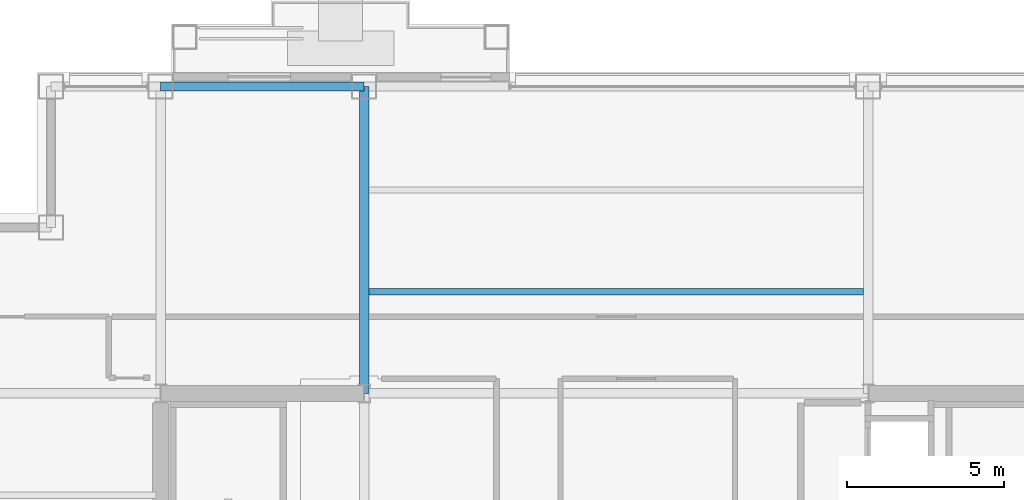
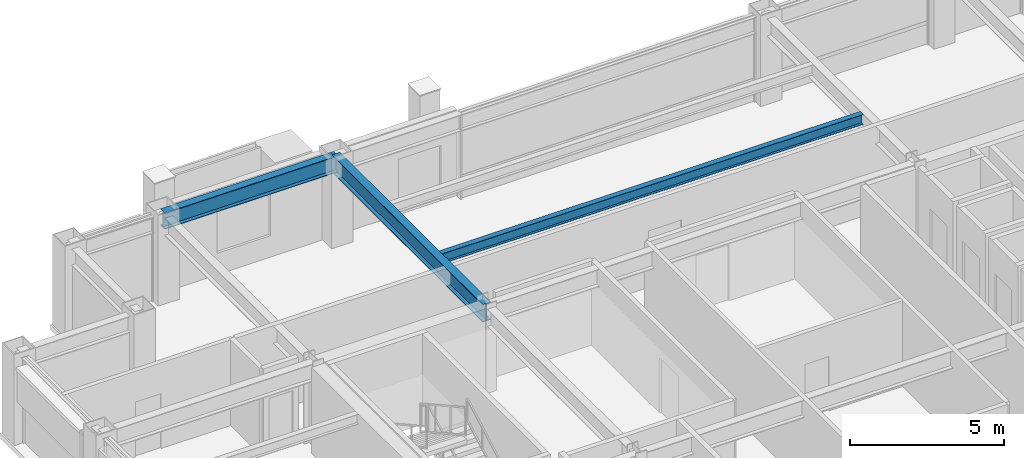
# One storey, part 18 of 29: 3 beams.
"""IFC4 building model written with IfcOpenShell, lengths in metres."""

from ifc_helpers import new_model, si_unit, direction, frame, origin, origin_2d, place, context, subcontext, project, spatial, i_section, extrude, material, material_profile, profile_set, type_object, element, save


model = new_model("IFC4")

# Units and contexts
model_context = context("Model", 3, precision=1e-05, world=origin(), true_north=direction((0.0, 1.0)))
body_context = subcontext(model_context, "Body", "Model", "MODEL_VIEW")
ifc_project = project(units=[si_unit("LENGTHUNIT", "METRE"), si_unit("AREAUNIT", "SQUARE_METRE"), si_unit("VOLUMEUNIT", "CUBIC_METRE"), si_unit("PLANEANGLEUNIT", "RADIAN"), si_unit("MASSUNIT", "GRAM", prefix="KILO")], contexts=[model_context])

# Site, building, storey
site_placement = place(None, origin())
site = spatial("IfcSite", under=ifc_project, at=site_placement, CompositionType="ELEMENT")
building_placement = place(site_placement, origin())
building = spatial("IfcBuilding", under=site, at=building_placement, Name="Brelmoor Portico Tower", CompositionType="ELEMENT")
storey_placement = place(building_placement, frame((0.0, 0.0, 124.199951171875)))
storey = spatial("IfcBuildingStorey", under=building, at=storey_placement, Name="L32", CompositionType="ELEMENT", Elevation=124.199951171875)

# Beams
ifc_material = material(Name="Steel Q355B", Category="steel")
ifc_material_profile_1 = material_profile(ifc_material, i_section(OverallWidth=0.199951171875, OverallDepth=0.39990234375, WebThickness=0.008056640625, FlangeThickness=0.012939453125, at=origin_2d()), Name="HN 400x200x8x13")
ifc_profile_set_1 = profile_set([ifc_material_profile_1], Name="Steel Q355B")
beam_type_1 = type_object("IfcBeamType", Name="BM-JS-400", PredefinedType="JOIST", material=ifc_profile_set_1)
beam_1_placement = place(storey_placement, frame((-7.89990234375, 13.0, 3.199951171875), z_axis=(1.0, 0.0, 0.0), x_axis=(0.0, 1.0, 0.0)))
element("IfcBeam", 1, at=beam_1_placement, inside=storey, type_object=beam_type_1, Name="L32 Secondary Composite Joist JS-C03", PredefinedType="JOIST", context=body_context, shape_type="SweptSolid", body=[
    extrude(i_section(OverallWidth=0.199951171875, OverallDepth=0.39990234375, WebThickness=0.008056640625, FlangeThickness=0.012939453125, at=origin_2d()), origin(), (0.0, 0.0, 1.0), 15.7998046875),
])
ifc_material_profile_2 = material_profile(ifc_material, i_section(OverallWidth=0.300048828125, OverallDepth=0.699951171875, WebThickness=0.012939453125, FlangeThickness=0.02392578125, at=origin_2d()), Name="HN 700x300x13x24")
ifc_profile_set_2 = profile_set([ifc_material_profile_2], Name="Steel Q355B")
beam_type_2 = type_object("IfcBeamType", Name="BM-PG-700", PredefinedType="BEAM", material=ifc_profile_set_2)
beam_2_placement = place(storey_placement, frame((-8.050048828125, 9.75, 3.050048828125), z_axis=(0.0, 1.0, 0.0), x_axis=(-1.0, 0.0, 0.0)))
element("IfcBeam", 2, at=beam_2_placement, inside=storey, type_object=beam_type_2, Name="L32 Primary Floor Girder PG-07", PredefinedType="BEAM", context=body_context, shape_type="SweptSolid", body=[
    extrude(i_section(OverallWidth=0.300048828125, OverallDepth=0.699951171875, WebThickness=0.012939453125, FlangeThickness=0.02392578125, at=origin_2d()), origin(), (0.0, 0.0, 1.0), 9.800048828125),
])
ifc_material_profile_3 = material_profile(ifc_material, i_section(OverallWidth=0.280029296875, OverallDepth=0.64990234375, WebThickness=0.012939453125, FlangeThickness=0.02197265625, at=origin_2d()), Name="HN 650x280x13x22")
ifc_profile_set_3 = profile_set([ifc_material_profile_3], Name="Steel Q355B")
beam_type_3 = type_object("IfcBeamType", Name="BM-SP-650", PredefinedType="SPANDREL", material=ifc_profile_set_3)
beam_3_placement = place(storey_placement, frame((-14.550048828125, 19.550048828125, 3.074951171875), z_axis=(1.0, 0.0, 0.0), x_axis=(0.0, 1.0, 0.0)))
element("IfcBeam", 3, at=beam_3_placement, inside=storey, type_object=beam_type_3, Name="L32 Perimeter Spandrel Beam SP-11", PredefinedType="SPANDREL", context=body_context, shape_type="SweptSolid", body=[
    extrude(i_section(OverallWidth=0.280029296875, OverallDepth=0.64990234375, WebThickness=0.012939453125, FlangeThickness=0.02197265625, at=origin_2d()), origin(), (0.0, 0.0, 1.0), 6.5),
])

save(model, "model.ifc")
